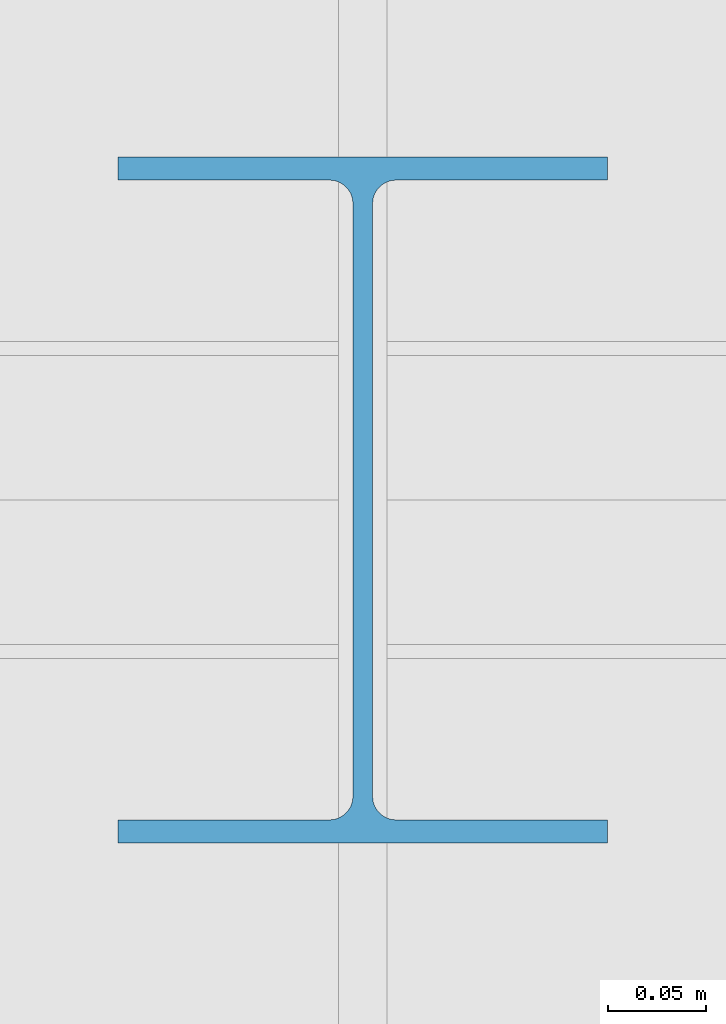
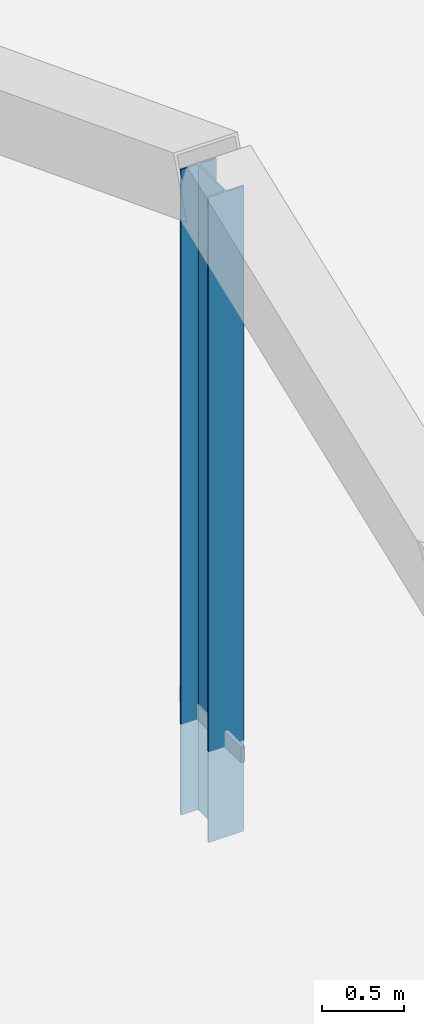
# One storey, part 55 of 127: 1 member.
"""IFC4 building model written with IfcOpenShell, lengths in metres."""

import ifcopenshell
import ifcopenshell.guid

model = None  # the IFC model being written
_history = None  # IfcOwnerHistory: only IFC2X3 demands one
_inside = {}  # id of a spatial element -> (the spatial element, [elements in it])
_under = {}  # id of a project, library or spatial element -> (it, [spatial elements below it])
_declared = {}  # id of a project -> (the project, [libraries it declares])
_typed = {}  # id of a type object -> (the type object, [elements of that type])
_made_of = {}  # id of a material, layer set ... -> (it, [elements and type objects made of it])


def new_model(schema):
    """Start an empty IFC model of exactly this schema.

    Asked for "IFC4X3", IfcOpenShell would pick the latest addendum, in which some entities
    have other attributes; the version numbers below select the first issue.
    IFC2X3 requires an IfcOwnerHistory on every rooted entity: one is made here for all.
    """
    global model, _history
    if schema == "IFC4X3":
        model = ifcopenshell.file(schema_version=(4, 3, 0, 0))
    else:
        model = ifcopenshell.file(schema=schema)
    _inside.clear()
    _under.clear()
    _declared.clear()
    _typed.clear()
    _made_of.clear()
    _history = None
    if model.schema == "IFC2X3":
        org = make("IfcOrganization", Name="unknown")
        user = make(
            "IfcPersonAndOrganization",
            ThePerson=make("IfcPerson", FamilyName="unknown"),
            TheOrganization=org,
        )
        app = make(
            "IfcApplication",
            ApplicationDeveloper=org,
            Version="unknown",
            ApplicationFullName="unknown",
            ApplicationIdentifier="unknown",
        )
        _history = make(
            "IfcOwnerHistory",
            OwningUser=user,
            OwningApplication=app,
            ChangeAction="ADDED",
            CreationDate=0,
        )
    return model


def make(cls, **values):
    """One entity of the class cls with the attributes given. An attribute that is None is left unset."""
    return model.create_entity(
        cls, **{name: value for name, value in values.items() if value is not None}
    )


def rooted(cls, **values):
    """An entity with a GlobalId (a new one), such as an element, a storey or a relation."""
    return make(cls, GlobalId=ifcopenshell.guid.new(), OwnerHistory=_history, **values)


def si_unit(unit_type, name, prefix=None):
    """IfcSIUnit, for example si_unit("LENGTHUNIT", "METRE", prefix="MILLI")."""
    return make("IfcSIUnit", UnitType=unit_type, Prefix=prefix, Name=name)


def derived_unit(unit_type, elements):
    """IfcDerivedUnit: a product of units, each with its exponent."""
    return make(
        "IfcDerivedUnit",
        Elements=[
            make("IfcDerivedUnitElement", Unit=unit, Exponent=power)
            for unit, power in elements
        ],
        UnitType=unit_type,
    )


def assignment(units):
    """IfcUnitAssignment: the units of a project."""
    return None if units is None else make("IfcUnitAssignment", Units=units)


def point(xyz):
    """IfcCartesianPoint."""
    return None if xyz is None else make("IfcCartesianPoint", Coordinates=xyz)


def direction(xyz):
    """IfcDirection."""
    return None if xyz is None else make("IfcDirection", DirectionRatios=xyz)


def frame(location, z_axis=None, x_axis=None):
    """IfcAxis2Placement3D, a coordinate frame: its origin and axes. An axis left out is left unset."""
    return make(
        "IfcAxis2Placement3D",
        Location=point(location),
        Axis=direction(z_axis),
        RefDirection=direction(x_axis),
    )


def frame_2d(location, x_axis=None):
    """IfcAxis2Placement2D, a coordinate frame in the plane: its origin and x axis."""
    return make(
        "IfcAxis2Placement2D", Location=point(location), RefDirection=direction(x_axis)
    )


def origin():
    """The frame at (0, 0, 0) with its axes left unset."""
    return frame((0.0, 0.0, 0.0))


def origin_2d():
    """The frame at (0, 0) in the plane with its x axis left unset."""
    return frame_2d((0.0, 0.0))


def place(relative_to, where):
    """IfcLocalPlacement: puts the frame where relative to a parent placement (None: the world)."""
    return make(
        "IfcLocalPlacement", PlacementRelTo=relative_to, RelativePlacement=where
    )


def context(
    kind, dimensions, precision=None, world=None, true_north=None, identifier=None
):
    """IfcGeometricRepresentationContext, for example the 3D "Model" context."""
    return make(
        "IfcGeometricRepresentationContext",
        ContextIdentifier=identifier,
        ContextType=kind,
        CoordinateSpaceDimension=dimensions,
        Precision=precision,
        WorldCoordinateSystem=world,
        TrueNorth=true_north,
    )


def subcontext(parent, identifier, kind, view, scale=None):
    """IfcGeometricRepresentationSubContext, for example "Body" below "Model"."""
    return make(
        "IfcGeometricRepresentationSubContext",
        ContextIdentifier=identifier,
        ContextType=kind,
        ParentContext=parent,
        TargetScale=scale,
        TargetView=view,
    )


def project(units=None, contexts=None):
    """IfcProject with its units and contexts."""
    return rooted(
        "IfcProject",
        Name="project",
        RepresentationContexts=contexts,
        UnitsInContext=assignment(units),
    )


def spatial(cls, under=None, at=None, **own):
    """A site, building, storey or space (cls), placed at a placement, below another one or the project."""
    s = rooted(cls, ObjectPlacement=at, **own)
    if under is not None:
        _under.setdefault(under.id(), (under, []))[1].append(s)
    return s


def profile(cls, at=None, kind="AREA", **sizes):
    """A parametric profile (cls). Its sizes go by their IFC names, for example OverallWidth=200.0."""
    return make(cls, ProfileType=kind, Position=at, **sizes)


def i_section(**sizes):
    """IfcIShapeProfileDef."""
    return profile("IfcIShapeProfileDef", **sizes)


def extrude(swept, where, along, depth):
    """IfcExtrudedAreaSolid: the profile swept, set in the frame where, extruded along a direction by depth."""
    return make(
        "IfcExtrudedAreaSolid",
        SweptArea=swept,
        Position=where,
        ExtrudedDirection=direction(along),
        Depth=depth,
    )


def shape(context_of_items, identifier, shape_type, items):
    """IfcShapeRepresentation: the items that make up one representation, for example the "Body"."""
    return make(
        "IfcShapeRepresentation",
        ContextOfItems=context_of_items,
        RepresentationIdentifier=identifier,
        RepresentationType=shape_type,
        Items=items,
    )


def material(Name=None, Category=None):
    """IfcMaterial."""
    return make("IfcMaterial", Name=Name, Category=Category)


def material_profile(
    of_material, cross_section, Name=None, Category=None, Priority=None
):
    """IfcMaterialProfile: a cross section and its material."""
    return make(
        "IfcMaterialProfile",
        Name=Name,
        Material=of_material,
        Profile=cross_section,
        Priority=Priority,
        Category=Category,
    )


def profile_set(profiles, Name=None, composite=None):
    """IfcMaterialProfileSet."""
    return make(
        "IfcMaterialProfileSet",
        Name=Name,
        MaterialProfiles=profiles,
        CompositeProfile=composite,
    )


def made_of(thing, what):
    """Note that an element or type object is made of a material, layer set ...; save() writes the relation."""
    if what is not None:
        _made_of.setdefault(what.id(), (what, []))[1].append(thing)
    return thing


def type_object(cls, material=None, **own):
    """A type object (cls), such as IfcWallType, which elements share."""
    return made_of(rooted(cls, **own), material)


def element(
    cls,
    number,
    at=None,
    inside=None,
    cuts=None,
    type_object=None,
    material=None,
    context=None,
    identifier="Body",
    shape_type=None,
    held_by="IfcProductDefinitionShape",
    body=None,
    shapes=None,
    **own,
):
    """One element of the class cls, such as IfcWall. Its Tag is "e" and its number.

    at: its placement. inside: the storey or other place that contains it. cuts: it is an
    opening in that element (IfcRelVoidsElement). A single representation is given by context,
    identifier, shape_type and body (its items); several are given by shapes. held_by: the class
    of the entity that holds the representations. save() writes the other relations.
    """
    e = rooted(cls, Tag="e%d" % number, ObjectPlacement=at, **own)
    if body is not None:
        shapes = [shape(context, identifier, shape_type, body)]
    if shapes is not None:
        e.Representation = make(held_by, Representations=shapes)
    if inside is not None:
        _inside.setdefault(inside.id(), (inside, []))[1].append(e)
    if cuts is not None:
        rooted(
            "IfcRelVoidsElement", RelatingBuildingElement=cuts, RelatedOpeningElement=e
        )
    if type_object is not None:
        _typed.setdefault(type_object.id(), (type_object, []))[1].append(e)
    return made_of(e, material)


def aggregate(whole, parts):
    """IfcRelAggregates: a whole, such as a stair, and the parts it consists of."""
    return rooted("IfcRelAggregates", RelatingObject=whole, RelatedObjects=parts)


def save(model, path):
    """Write the relations noted so far, then the file.

    IfcRelAggregates (storeys below a building ...), IfcRelContainedInSpatialStructure (elements
    in a storey), IfcRelDefinesByType, IfcRelAssociatesMaterial and IfcRelDeclares: one each for
    every whole, place, type object, material and project.
    """
    for whole, parts in _under.values():
        aggregate(whole, parts)
    for where, things in _inside.values():
        rooted(
            "IfcRelContainedInSpatialStructure",
            RelatedElements=things,
            RelatingStructure=where,
        )
    for kind, things in _typed.values():
        rooted("IfcRelDefinesByType", RelatedObjects=things, RelatingType=kind)
    for what, things in _made_of.values():
        rooted("IfcRelAssociatesMaterial", RelatedObjects=things, RelatingMaterial=what)
    for by, libraries in _declared.values():
        rooted("IfcRelDeclares", RelatingContext=by, RelatedDefinitions=libraries)
    model.write(path)


model = new_model("IFC4")

# Units and contexts
model_context = context("Model", 3, precision=1e-05, world=origin(), true_north=direction((0.0, 1.0)))
body_context = subcontext(model_context, "Body", "Model", "MODEL_VIEW")
ifc_project = project(units=[si_unit("LENGTHUNIT", "METRE"), si_unit("AREAUNIT", "SQUARE_METRE"), si_unit("VOLUMEUNIT", "CUBIC_METRE"), si_unit("PLANEANGLEUNIT", "RADIAN"), si_unit("MASSUNIT", "GRAM", prefix="KILO"), derived_unit("THERMALTRANSMITTANCEUNIT", [(si_unit("POWERUNIT", "WATT"), 1), (si_unit("LENGTHUNIT", "METRE"), -2), (si_unit("THERMODYNAMICTEMPERATUREUNIT", "KELVIN"), -1)])], contexts=[model_context])

# Site, building, storey
site_placement = place(None, origin())
site = spatial("IfcSite", under=ifc_project, at=site_placement, CompositionType="ELEMENT")
building_placement = place(site_placement, origin())
building = spatial("IfcBuilding", under=site, at=building_placement, Name="Nallur Shell Playhouse", CompositionType="ELEMENT")
storey_placement = place(building_placement, frame((0.0, 0.0, 5.39990234375)))
storey = spatial("IfcBuildingStorey", under=building, at=storey_placement, Name="L02", CompositionType="ELEMENT", Elevation=5.39990234375)

# Member
ifc_material = material(Name="Steel E350", Category="steel")
ifc_material_profile = material_profile(ifc_material, i_section(OverallWidth=0.25, OverallDepth=0.35009765625, WebThickness=0.010009765625, FlangeThickness=0.01171875, FilletRadius=0.011962890625, at=origin_2d()), Name="ISHB 350")
ifc_profile_set = profile_set([ifc_material_profile], Name="Steel E350")
member_type = type_object("IfcMemberType", Name="MB-TT-POST", PredefinedType="POST", material=ifc_profile_set)
member_placement = place(storey_placement, frame((112.60009765625, 28.5, -0.679931640625), z_axis=(0.0, 0.0, 1.0), x_axis=(1.0, 0.0, 0.0)))
element("IfcMember", 1, at=member_placement, inside=storey, type_object=member_type, Name="Transfer truss TT-8 web post 3", PredefinedType="POST", context=body_context, shape_type="SweptSolid", body=[
    extrude(i_section(OverallWidth=0.25, OverallDepth=0.35009765625, WebThickness=0.010009765625, FlangeThickness=0.01171875, FilletRadius=0.011962890625, at=origin_2d()), origin(), (0.0, 0.0, 1.0), 4.820068359375),
])

save(model, "model.ifc")
